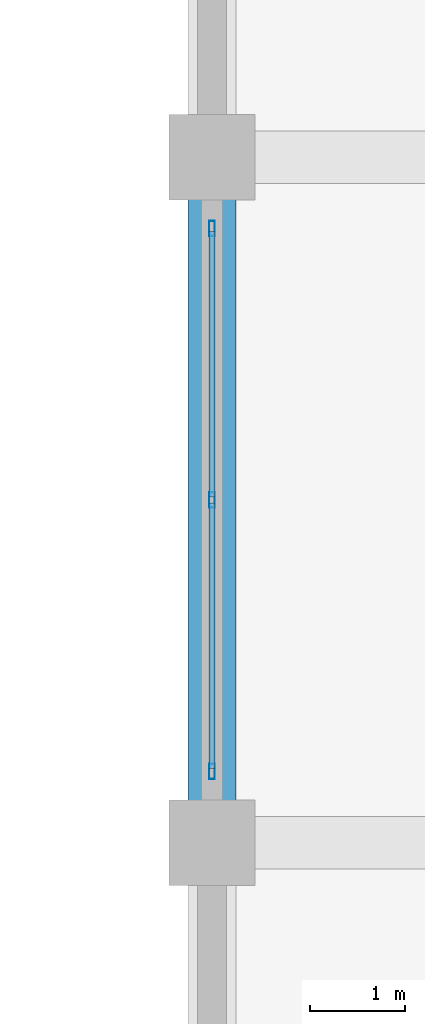
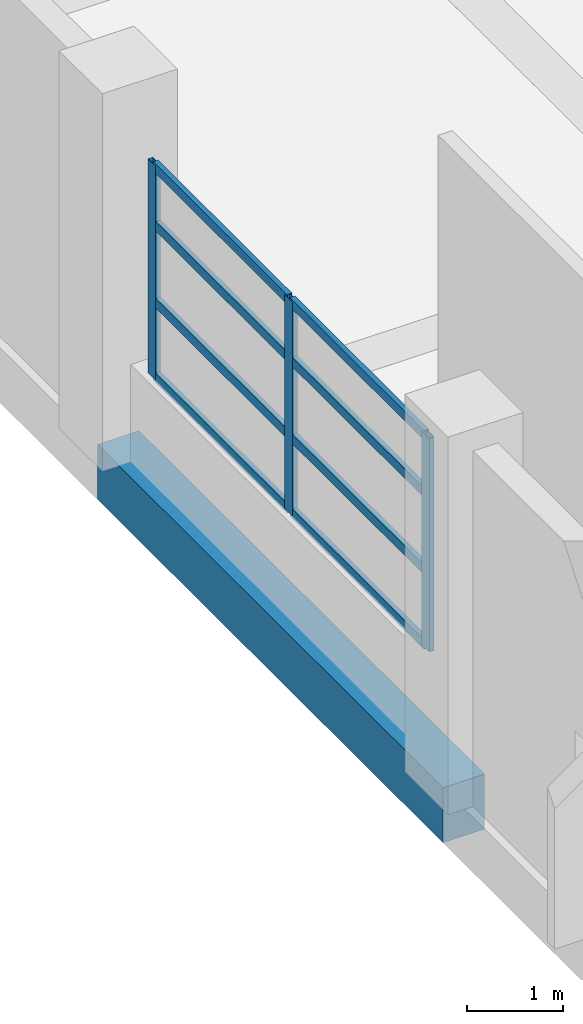
# One storey, part 47 of 181: 11 members, 1 beam, 1 element without a shape of its own.
"""IFC4 building model written with IfcOpenShell, lengths in metres."""

import ifcopenshell
import ifcopenshell.guid

model = None  # the IFC model being written
_history = None  # IfcOwnerHistory: only IFC2X3 demands one
_inside = {}  # id of a spatial element -> (the spatial element, [elements in it])
_under = {}  # id of a project, library or spatial element -> (it, [spatial elements below it])
_declared = {}  # id of a project -> (the project, [libraries it declares])
_typed = {}  # id of a type object -> (the type object, [elements of that type])
_made_of = {}  # id of a material, layer set ... -> (it, [elements and type objects made of it])


def new_model(schema):
    """Start an empty IFC model of exactly this schema.

    Asked for "IFC4X3", IfcOpenShell would pick the latest addendum, in which some entities
    have other attributes; the version numbers below select the first issue.
    IFC2X3 requires an IfcOwnerHistory on every rooted entity: one is made here for all.
    """
    global model, _history
    if schema == "IFC4X3":
        model = ifcopenshell.file(schema_version=(4, 3, 0, 0))
    else:
        model = ifcopenshell.file(schema=schema)
    _inside.clear()
    _under.clear()
    _declared.clear()
    _typed.clear()
    _made_of.clear()
    _history = None
    if model.schema == "IFC2X3":
        org = make("IfcOrganization", Name="unknown")
        user = make(
            "IfcPersonAndOrganization",
            ThePerson=make("IfcPerson", FamilyName="unknown"),
            TheOrganization=org,
        )
        app = make(
            "IfcApplication",
            ApplicationDeveloper=org,
            Version="unknown",
            ApplicationFullName="unknown",
            ApplicationIdentifier="unknown",
        )
        _history = make(
            "IfcOwnerHistory",
            OwningUser=user,
            OwningApplication=app,
            ChangeAction="ADDED",
            CreationDate=0,
        )
    return model


def make(cls, **values):
    """One entity of the class cls with the attributes given. An attribute that is None is left unset."""
    return model.create_entity(
        cls, **{name: value for name, value in values.items() if value is not None}
    )


def rooted(cls, **values):
    """An entity with a GlobalId (a new one), such as an element, a storey or a relation."""
    return make(cls, GlobalId=ifcopenshell.guid.new(), OwnerHistory=_history, **values)


def si_unit(unit_type, name, prefix=None):
    """IfcSIUnit, for example si_unit("LENGTHUNIT", "METRE", prefix="MILLI")."""
    return make("IfcSIUnit", UnitType=unit_type, Prefix=prefix, Name=name)


def assignment(units):
    """IfcUnitAssignment: the units of a project."""
    return None if units is None else make("IfcUnitAssignment", Units=units)


def point(xyz):
    """IfcCartesianPoint."""
    return None if xyz is None else make("IfcCartesianPoint", Coordinates=xyz)


def direction(xyz):
    """IfcDirection."""
    return None if xyz is None else make("IfcDirection", DirectionRatios=xyz)


def frame(location, z_axis=None, x_axis=None):
    """IfcAxis2Placement3D, a coordinate frame: its origin and axes. An axis left out is left unset."""
    return make(
        "IfcAxis2Placement3D",
        Location=point(location),
        Axis=direction(z_axis),
        RefDirection=direction(x_axis),
    )


def frame_2d(location, x_axis=None):
    """IfcAxis2Placement2D, a coordinate frame in the plane: its origin and x axis."""
    return make(
        "IfcAxis2Placement2D", Location=point(location), RefDirection=direction(x_axis)
    )


def origin():
    """The frame at (0, 0, 0) with its axes left unset."""
    return frame((0.0, 0.0, 0.0))


def origin_2d():
    """The frame at (0, 0) in the plane with its x axis left unset."""
    return frame_2d((0.0, 0.0))


def place(relative_to, where):
    """IfcLocalPlacement: puts the frame where relative to a parent placement (None: the world)."""
    return make(
        "IfcLocalPlacement", PlacementRelTo=relative_to, RelativePlacement=where
    )


def context(
    kind, dimensions, precision=None, world=None, true_north=None, identifier=None
):
    """IfcGeometricRepresentationContext, for example the 3D "Model" context."""
    return make(
        "IfcGeometricRepresentationContext",
        ContextIdentifier=identifier,
        ContextType=kind,
        CoordinateSpaceDimension=dimensions,
        Precision=precision,
        WorldCoordinateSystem=world,
        TrueNorth=true_north,
    )


def subcontext(parent, identifier, kind, view, scale=None):
    """IfcGeometricRepresentationSubContext, for example "Body" below "Model"."""
    return make(
        "IfcGeometricRepresentationSubContext",
        ContextIdentifier=identifier,
        ContextType=kind,
        ParentContext=parent,
        TargetScale=scale,
        TargetView=view,
    )


def project(units=None, contexts=None):
    """IfcProject with its units and contexts."""
    return rooted(
        "IfcProject",
        Name="project",
        RepresentationContexts=contexts,
        UnitsInContext=assignment(units),
    )


def spatial(cls, under=None, at=None, **own):
    """A site, building, storey or space (cls), placed at a placement, below another one or the project."""
    s = rooted(cls, ObjectPlacement=at, **own)
    if under is not None:
        _under.setdefault(under.id(), (under, []))[1].append(s)
    return s


def profile(cls, at=None, kind="AREA", **sizes):
    """A parametric profile (cls). Its sizes go by their IFC names, for example OverallWidth=200.0."""
    return make(cls, ProfileType=kind, Position=at, **sizes)


def rectangle(**sizes):
    """IfcRectangleProfileDef."""
    return profile("IfcRectangleProfileDef", **sizes)


def hollow_rectangle(**sizes):
    """IfcRectangleHollowProfileDef."""
    return profile("IfcRectangleHollowProfileDef", **sizes)


def extrude(swept, where, along, depth):
    """IfcExtrudedAreaSolid: the profile swept, set in the frame where, extruded along a direction by depth."""
    return make(
        "IfcExtrudedAreaSolid",
        SweptArea=swept,
        Position=where,
        ExtrudedDirection=direction(along),
        Depth=depth,
    )


def shape(context_of_items, identifier, shape_type, items):
    """IfcShapeRepresentation: the items that make up one representation, for example the "Body"."""
    return make(
        "IfcShapeRepresentation",
        ContextOfItems=context_of_items,
        RepresentationIdentifier=identifier,
        RepresentationType=shape_type,
        Items=items,
    )


def material(Name=None, Category=None):
    """IfcMaterial."""
    return make("IfcMaterial", Name=Name, Category=Category)


def layer(
    of_material, thickness, ventilated=None, Name=None, Category=None, Priority=None
):
    """IfcMaterialLayer: one layer of a wall or slab, of a material (None: an air gap)."""
    return make(
        "IfcMaterialLayer",
        Material=of_material,
        LayerThickness=thickness,
        IsVentilated=ventilated,
        Name=Name,
        Category=Category,
        Priority=Priority,
    )


def layer_set(layers, Name=None):
    """IfcMaterialLayerSet."""
    return make("IfcMaterialLayerSet", MaterialLayers=layers, LayerSetName=Name)


def material_profile(
    of_material, cross_section, Name=None, Category=None, Priority=None
):
    """IfcMaterialProfile: a cross section and its material."""
    return make(
        "IfcMaterialProfile",
        Name=Name,
        Material=of_material,
        Profile=cross_section,
        Priority=Priority,
        Category=Category,
    )


def profile_set(profiles, Name=None, composite=None):
    """IfcMaterialProfileSet."""
    return make(
        "IfcMaterialProfileSet",
        Name=Name,
        MaterialProfiles=profiles,
        CompositeProfile=composite,
    )


def made_of(thing, what):
    """Note that an element or type object is made of a material, layer set ...; save() writes the relation."""
    if what is not None:
        _made_of.setdefault(what.id(), (what, []))[1].append(thing)
    return thing


def type_object(cls, material=None, **own):
    """A type object (cls), such as IfcWallType, which elements share."""
    return made_of(rooted(cls, **own), material)


def element(
    cls,
    number,
    at=None,
    inside=None,
    cuts=None,
    type_object=None,
    material=None,
    context=None,
    identifier="Body",
    shape_type=None,
    held_by="IfcProductDefinitionShape",
    body=None,
    shapes=None,
    **own,
):
    """One element of the class cls, such as IfcWall. Its Tag is "e" and its number.

    at: its placement. inside: the storey or other place that contains it. cuts: it is an
    opening in that element (IfcRelVoidsElement). A single representation is given by context,
    identifier, shape_type and body (its items); several are given by shapes. held_by: the class
    of the entity that holds the representations. save() writes the other relations.
    """
    e = rooted(cls, Tag="e%d" % number, ObjectPlacement=at, **own)
    if body is not None:
        shapes = [shape(context, identifier, shape_type, body)]
    if shapes is not None:
        e.Representation = make(held_by, Representations=shapes)
    if inside is not None:
        _inside.setdefault(inside.id(), (inside, []))[1].append(e)
    if cuts is not None:
        rooted(
            "IfcRelVoidsElement", RelatingBuildingElement=cuts, RelatedOpeningElement=e
        )
    if type_object is not None:
        _typed.setdefault(type_object.id(), (type_object, []))[1].append(e)
    return made_of(e, material)


def aggregate(whole, parts):
    """IfcRelAggregates: a whole, such as a stair, and the parts it consists of."""
    return rooted("IfcRelAggregates", RelatingObject=whole, RelatedObjects=parts)


def save(model, path):
    """Write the relations noted so far, then the file.

    IfcRelAggregates (storeys below a building ...), IfcRelContainedInSpatialStructure (elements
    in a storey), IfcRelDefinesByType, IfcRelAssociatesMaterial and IfcRelDeclares: one each for
    every whole, place, type object, material and project.
    """
    for whole, parts in _under.values():
        aggregate(whole, parts)
    for where, things in _inside.values():
        rooted(
            "IfcRelContainedInSpatialStructure",
            RelatedElements=things,
            RelatingStructure=where,
        )
    for kind, things in _typed.values():
        rooted("IfcRelDefinesByType", RelatedObjects=things, RelatingType=kind)
    for what, things in _made_of.values():
        rooted("IfcRelAssociatesMaterial", RelatedObjects=things, RelatingMaterial=what)
    for by, libraries in _declared.values():
        rooted("IfcRelDeclares", RelatingContext=by, RelatedDefinitions=libraries)
    model.write(path)


model = new_model("IFC4")

# Units and contexts
model_context = context("Model", 3, precision=1e-05, world=origin(), true_north=direction((0.0, 1.0)))
body_context = subcontext(model_context, "Body", "Model", "MODEL_VIEW")
ifc_project = project(units=[si_unit("LENGTHUNIT", "METRE"), si_unit("AREAUNIT", "SQUARE_METRE"), si_unit("VOLUMEUNIT", "CUBIC_METRE"), si_unit("PLANEANGLEUNIT", "RADIAN"), si_unit("MASSUNIT", "GRAM", prefix="KILO")], contexts=[model_context])

# Site, building, storey
site_placement = place(None, origin())
site = spatial("IfcSite", under=ifc_project, at=site_placement, CompositionType="ELEMENT")
building_placement = place(site_placement, origin())
building = spatial("IfcBuilding", under=site, at=building_placement, Name="Seraya Terrace Polytechnic", CompositionType="ELEMENT")
storey_placement = place(building_placement, frame((0.0, 0.0, 4.800048828125)))
storey = spatial("IfcBuildingStorey", under=building, at=storey_placement, Name="L01", CompositionType="ELEMENT", Elevation=4.800048828125)

# Beam
ifc_material_1 = material(Name="Concrete C40/50", Category="concrete")
ifc_material_profile_1 = material_profile(ifc_material_1, rectangle(XDim=0.5, YDim=0.699951171875, at=origin_2d()), Name="RC 500x700")
ifc_profile_set_1 = profile_set([ifc_material_profile_1], Name="Concrete C40/50")
beam_type = type_object("IfcBeamType", Name="BM-07", PredefinedType="BEAM", material=ifc_profile_set_1)
beam_placement = place(storey_placement, frame((79.199951171875, 36.0, -0.35009765625), z_axis=(0.0, 1.0, 0.0), x_axis=(-1.0, 0.0, 0.0)))
element("IfcBeam", 1, at=beam_placement, inside=storey, type_object=beam_type, Name="Beam BM-07 L01 Y (79.2, 36.0..43.2)", PredefinedType="BEAM", context=body_context, shape_type="SweptSolid", body=[
    extrude(rectangle(XDim=0.5, YDim=0.699951171875, at=origin_2d()), origin(), (0.0, 0.0, 1.0), 7.199951171875),
])

# Curtain wall, members
ifc_material_2 = material(Name="Anodised aluminium EN AW-6063 T6", Category="aluminium")
ifc_layer = layer(ifc_material_2, 0.179931640625, Name="CW-05")
ifc_layer_set = layer_set([ifc_layer], Name="Anodised aluminium EN AW-6063 T6")
curtain_wall_type = type_object("IfcCurtainWallType", Name="CW-05", PredefinedType="NOTDEFINED", material=ifc_layer_set)
curtain_wall_placement = place(storey_placement, origin())
curtain_wall = element("IfcCurtainWall", 2, at=curtain_wall_placement, inside=storey, type_object=curtain_wall_type, Name="Unitised curtain wall CW-05 (CW-L01-041)", PredefinedType="NOTDEFINED")
ifc_material_profile_2 = material_profile(ifc_material_2, hollow_rectangle(XDim=0.06005859375, YDim=0.159912109375, WallThickness=0.00341796875, at=origin_2d()), Name="RHS 160x60x3.5")
ifc_profile_set_2 = profile_set([ifc_material_profile_2], Name="Anodised aluminium EN AW-6063 T6")
member_type_1 = type_object("IfcMemberType", Name="CWM-02", PredefinedType="MULLION", material=ifc_profile_set_2)
member_1_placement = place(storey_placement, frame((79.199951171875, 36.75, 1.239990234375), z_axis=(0.0, 0.0, 1.0), x_axis=(-1.0, 0.0, 0.0)))
member_1 = element("IfcMember", 3, at=member_1_placement, type_object=member_type_1, Name="CW-05 mullion 1", PredefinedType="MULLION", context=body_context, shape_type="SweptSolid", body=[
    extrude(hollow_rectangle(XDim=0.06005859375, YDim=0.159912109375, WallThickness=0.00341796875, at=origin_2d()), origin(), (0.0, 0.0, 1.0), 2.719970703125),
])
member_2_placement = place(storey_placement, frame((79.199951171875, 39.60009765625, 1.239990234375), z_axis=(0.0, 0.0, 1.0), x_axis=(-1.0, 0.0, 0.0)))
member_2 = element("IfcMember", 4, at=member_2_placement, type_object=member_type_1, Name="CW-05 mullion 2", PredefinedType="MULLION", context=body_context, shape_type="SweptSolid", body=[
    extrude(hollow_rectangle(XDim=0.06005859375, YDim=0.159912109375, WallThickness=0.00341796875, at=origin_2d()), origin(), (0.0, 0.0, 1.0), 2.719970703125),
])
member_3_placement = place(storey_placement, frame((79.199951171875, 42.449951171875, 1.239990234375), z_axis=(0.0, 0.0, 1.0), x_axis=(-1.0, 0.0, 0.0)))
member_3 = element("IfcMember", 5, at=member_3_placement, type_object=member_type_1, Name="CW-05 mullion 3", PredefinedType="MULLION", context=body_context, shape_type="SweptSolid", body=[
    extrude(hollow_rectangle(XDim=0.06005859375, YDim=0.159912109375, WallThickness=0.00341796875, at=origin_2d()), origin(), (0.0, 0.0, 1.0), 2.719970703125),
])
ifc_material_profile_3 = material_profile(ifc_material_2, hollow_rectangle(XDim=0.06005859375, YDim=0.1201171875, WallThickness=0.003173828125, at=origin_2d()), Name="RHS 120x60x3.2")
ifc_profile_set_3 = profile_set([ifc_material_profile_3], Name="Anodised aluminium EN AW-6063 T6")
member_type_2 = type_object("IfcMemberType", Name="CWT-02", PredefinedType="USERDEFINED", material=ifc_profile_set_3)
member_4_placement = place(storey_placement, frame((79.199951171875, 36.780029296875, 1.27001953125), z_axis=(0.0, 1.0, 0.0), x_axis=(-1.0, 0.0, 0.0)))
member_4 = element("IfcMember", 6, at=member_4_placement, type_object=member_type_2, Name="CW-05 transom 1.1", ObjectType="TRANSOM", PredefinedType="USERDEFINED", context=body_context, shape_type="SweptSolid", body=[
    extrude(hollow_rectangle(XDim=0.06005859375, YDim=0.1201171875, WallThickness=0.003173828125, at=origin_2d()), origin(), (0.0, 0.0, 1.0), 2.7900390625),
])
member_5_placement = place(storey_placement, frame((79.199951171875, 36.780029296875, 2.21923828125), z_axis=(0.0, 1.0, 0.0), x_axis=(-1.0, 0.0, 0.0)))
member_5 = element("IfcMember", 7, at=member_5_placement, type_object=member_type_2, Name="CW-05 transom 1.2", ObjectType="TRANSOM", PredefinedType="USERDEFINED", context=body_context, shape_type="SweptSolid", body=[
    extrude(hollow_rectangle(XDim=0.06005859375, YDim=0.1201171875, WallThickness=0.003173828125, at=origin_2d()), origin(), (0.0, 0.0, 1.0), 2.7900390625),
])
member_6_placement = place(storey_placement, frame((79.199951171875, 36.780029296875, 3.1982421875), z_axis=(0.0, 1.0, 0.0), x_axis=(-1.0, 0.0, 0.0)))
member_6 = element("IfcMember", 8, at=member_6_placement, type_object=member_type_2, Name="CW-05 transom 1.3", ObjectType="TRANSOM", PredefinedType="USERDEFINED", context=body_context, shape_type="SweptSolid", body=[
    extrude(hollow_rectangle(XDim=0.06005859375, YDim=0.1201171875, WallThickness=0.003173828125, at=origin_2d()), origin(), (0.0, 0.0, 1.0), 2.7900390625),
])
member_7_placement = place(storey_placement, frame((79.199951171875, 36.780029296875, 3.929931640625), z_axis=(0.0, 1.0, 0.0), x_axis=(-1.0, 0.0, 0.0)))
member_7 = element("IfcMember", 9, at=member_7_placement, type_object=member_type_2, Name="CW-05 transom 1.4", ObjectType="TRANSOM", PredefinedType="USERDEFINED", context=body_context, shape_type="SweptSolid", body=[
    extrude(hollow_rectangle(XDim=0.06005859375, YDim=0.1201171875, WallThickness=0.003173828125, at=origin_2d()), origin(), (0.0, 0.0, 1.0), 2.7900390625),
])
member_8_placement = place(storey_placement, frame((79.199951171875, 39.6298828125, 1.27001953125), z_axis=(0.0, 1.0, 0.0), x_axis=(-1.0, 0.0, 0.0)))
member_8 = element("IfcMember", 10, at=member_8_placement, type_object=member_type_2, Name="CW-05 transom 2.1", ObjectType="TRANSOM", PredefinedType="USERDEFINED", context=body_context, shape_type="SweptSolid", body=[
    extrude(hollow_rectangle(XDim=0.06005859375, YDim=0.1201171875, WallThickness=0.003173828125, at=origin_2d()), origin(), (0.0, 0.0, 1.0), 2.7900390625),
])
member_9_placement = place(storey_placement, frame((79.199951171875, 39.6298828125, 2.21923828125), z_axis=(0.0, 1.0, 0.0), x_axis=(-1.0, 0.0, 0.0)))
member_9 = element("IfcMember", 11, at=member_9_placement, type_object=member_type_2, Name="CW-05 transom 2.2", ObjectType="TRANSOM", PredefinedType="USERDEFINED", context=body_context, shape_type="SweptSolid", body=[
    extrude(hollow_rectangle(XDim=0.06005859375, YDim=0.1201171875, WallThickness=0.003173828125, at=origin_2d()), origin(), (0.0, 0.0, 1.0), 2.7900390625),
])
member_10_placement = place(storey_placement, frame((79.199951171875, 39.6298828125, 3.1982421875), z_axis=(0.0, 1.0, 0.0), x_axis=(-1.0, 0.0, 0.0)))
member_10 = element("IfcMember", 12, at=member_10_placement, type_object=member_type_2, Name="CW-05 transom 2.3", ObjectType="TRANSOM", PredefinedType="USERDEFINED", context=body_context, shape_type="SweptSolid", body=[
    extrude(hollow_rectangle(XDim=0.06005859375, YDim=0.1201171875, WallThickness=0.003173828125, at=origin_2d()), origin(), (0.0, 0.0, 1.0), 2.7900390625),
])
member_11_placement = place(storey_placement, frame((79.199951171875, 39.6298828125, 3.929931640625), z_axis=(0.0, 1.0, 0.0), x_axis=(-1.0, 0.0, 0.0)))
member_11 = element("IfcMember", 13, at=member_11_placement, type_object=member_type_2, Name="CW-05 transom 2.4", ObjectType="TRANSOM", PredefinedType="USERDEFINED", context=body_context, shape_type="SweptSolid", body=[
    extrude(hollow_rectangle(XDim=0.06005859375, YDim=0.1201171875, WallThickness=0.003173828125, at=origin_2d()), origin(), (0.0, 0.0, 1.0), 2.7900390625),
])
aggregate(curtain_wall, [member_1, member_2, member_3, member_4, member_5, member_6, member_7, member_8, member_9, member_10, member_11])

save(model, "model.ifc")
